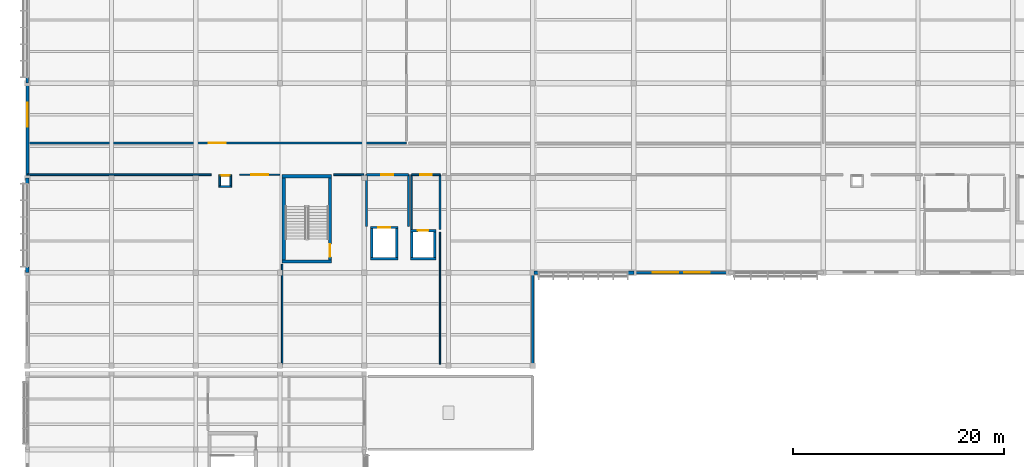
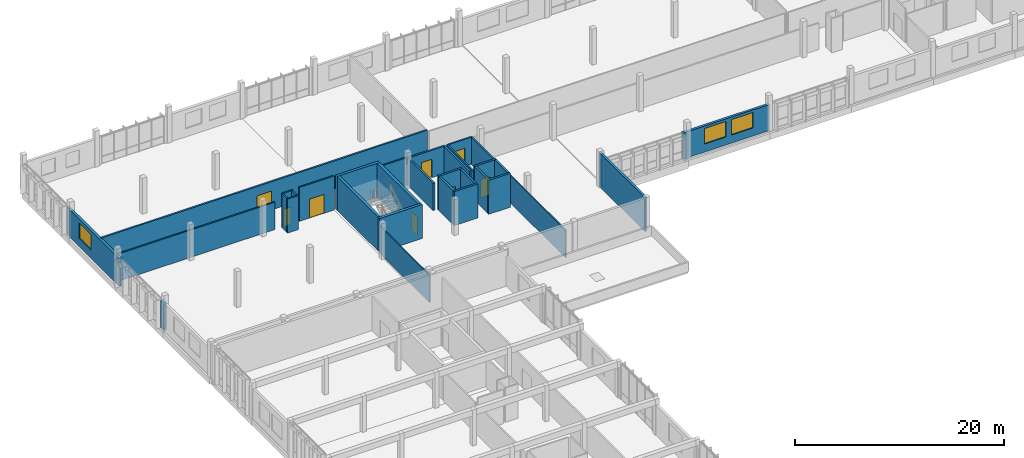
# One storey, part 93 of 107: 36 walls, 8 doors, 3 windows, 11 openings.
"""IFC4 building model written with IfcOpenShell, lengths in metres."""

from ifc_helpers import new_model, si_unit, direction, frame, frame_2d, origin, place, context, subcontext, project, spatial, rectangle, extrude, material, layer, layer_set, type_object, element, fill, save


model = new_model("IFC4")

# Units and contexts
model_context = context("Model", 3, precision=1e-05, world=origin(), true_north=direction((0.0, 1.0)))
body_context = subcontext(model_context, "Body", "Model", "MODEL_VIEW")
ifc_project = project(units=[si_unit("LENGTHUNIT", "METRE"), si_unit("AREAUNIT", "SQUARE_METRE"), si_unit("VOLUMEUNIT", "CUBIC_METRE"), si_unit("PLANEANGLEUNIT", "RADIAN"), si_unit("MASSUNIT", "GRAM", prefix="KILO")], contexts=[model_context])

# Site, building, storey
site_placement = place(None, origin())
site = spatial("IfcSite", under=ifc_project, at=site_placement, CompositionType="ELEMENT")
building_placement = place(site_placement, origin())
building = spatial("IfcBuilding", under=site, at=building_placement, Name="Chiffa Square Polytechnic", CompositionType="ELEMENT")
storey_placement = place(building_placement, frame((0.0, 0.0, 13.800048828125)))
storey = spatial("IfcBuildingStorey", under=building, at=storey_placement, Name="L03", CompositionType="ELEMENT", Elevation=13.800048828125)

# Walls
ifc_material_1 = material(Name="Concrete C40/50", Category="concrete")
ifc_layer_1 = layer(ifc_material_1, 0.300048828125, Name="Concrete C40/50")
ifc_layer_set_1 = layer_set([ifc_layer_1], Name="Concrete C40/50")
wall_type_1 = type_object("IfcWallType", Name="WL-CORE-300", PredefinedType="SHEAR", material=ifc_layer_set_1)
for number, where, z_axis, x_axis, name in (
    (1, (24.199951171875, 104.85009765625, 0.0), (0.0, 0.0, 1.0), (1.0, 0.0, 0.0), "Core or enclosure wall WC-CORE-V5A-L03-SOUTH"),
    (2, (24.199951171875, 112.949951171875, 0.0), (0.0, 0.0, 1.0), (1.0, 0.0, 0.0), "Core or enclosure wall WC-CORE-V5A-L03-NORTH"),
):
    element("IfcWall", number, at=place(storey_placement, frame(where, z_axis=z_axis, x_axis=x_axis)), inside=storey, type_object=wall_type_1, Name=name, PredefinedType="SHEAR", context=body_context, shape_type="SweptSolid", body=[
        extrude(rectangle(XDim=4.699951171875, YDim=0.300048828125, at=frame_2d((2.35009765625, 0.0))), origin(), (0.0, 0.0, 1.0), 3.9599609375),
    ])
wall_1_placement = place(storey_placement, frame((24.35009765625, 105.0, 0.0), z_axis=(0.0, 0.0, 1.0), x_axis=(0.0, 1.0, 0.0)))
element("IfcWall", 3, at=wall_1_placement, inside=storey, type_object=wall_type_1, Name="Core or enclosure wall WC-CORE-V5A-L03-WEST", PredefinedType="SHEAR", context=body_context, shape_type="SweptSolid", body=[
    extrude(rectangle(XDim=7.800048828125, YDim=0.300048828125, at=frame_2d((3.89990234375, 0.0))), origin(), (0.0, 0.0, 1.0), 3.9599609375),
])

# Wall, opening, door
wall_2_placement = place(storey_placement, frame((28.75, 105.0, 0.0), z_axis=(0.0, 0.0, 1.0), x_axis=(0.0, 1.0, 0.0)))
wall_2 = element("IfcWall", 4, at=wall_2_placement, inside=storey, type_object=wall_type_1, Name="Core or enclosure wall WC-CORE-V5A-L03-EAST", PredefinedType="SHEAR", context=body_context, shape_type="SweptSolid", body=[
    extrude(rectangle(XDim=7.800048828125, YDim=0.300048828125, at=frame_2d((3.89990234375, 0.0))), origin(), (0.0, 0.0, 1.0), 3.9599609375),
])
opening_1_placement = place(wall_2_placement, frame((0.300048828125, 0.0, 0.0)))
opening_1 = element("IfcOpeningElement", 5, at=opening_1_placement, cuts=wall_2, Name="Opening DS-L03-035", PredefinedType="OPENING", context=body_context, shape_type="SweptSolid", body=[
    extrude(rectangle(XDim=1.199951171875, YDim=2.14990234375, at=frame_2d((0.60009765625, 1.074951171875))), frame((0.0, 0.16015625, 0.0), z_axis=(0.0, -1.0, 0.0), x_axis=(1.0, 0.0, 0.0)), (0.0, 0.0, 1.0), 0.320068359375),
])
ifc_material_2 = material(Name="Fire-rated painted steel leaf", Category="steel")
door_type_1 = type_object("IfcDoorType", Name="DR-STAIR-1200", OperationType="NOTDEFINED", PredefinedType="DOOR", material=ifc_material_2)
door_1_placement = place(opening_1_placement, origin())
door_1 = element("IfcDoor", 6, at=door_1_placement, inside=storey, type_object=door_type_1, Name="Enclosure door DS-L03-035", OperationType="SINGLE_SWING_LEFT", OverallHeight=2.14990234375, OverallWidth=1.199951171875, PredefinedType="DOOR", context=body_context, shape_type="SweptSolid", body=[
    extrude(rectangle(XDim=1.199951171875, YDim=2.14990234375, at=frame_2d((0.60009765625, 1.074951171875))), frame((0.0, 0.02490234375, 0.0), z_axis=(0.0, -1.0, 0.0), x_axis=(1.0, 0.0, 0.0)), (0.0, 0.0, 1.0), 0.050048828125),
])
fill(opening_1, door_1)

# Wall, openings, windows
ifc_material_3 = material(Name="Precast concrete C40/50", Category="concrete")
ifc_layer_2 = layer(ifc_material_3, 0.260009765625, Name="Precast concrete C40/50")
ifc_layer_set_2 = layer_set([ifc_layer_2], Name="Precast concrete C40/50")
wall_type_2 = type_object("IfcWallType", Name="WL-EXT-PC260", PredefinedType="SOLIDWALL", material=ifc_layer_set_2)
wall_3_placement = place(storey_placement, frame((57.60009765625, 103.800048828125, 0.0), z_axis=(0.0, 0.0, 1.0), x_axis=(1.0, 0.0, 0.0)))
wall_3 = element("IfcWall", 7, at=wall_3_placement, inside=storey, type_object=wall_type_2, Name="Exterior wall WE-V5-L03-0331", PredefinedType="SOLIDWALL", context=body_context, shape_type="SweptSolid", body=[
    extrude(rectangle(XDim=9.0, YDim=0.260009765625, at=frame_2d((4.5, 0.0))), origin(), (0.0, 0.0, 1.0), 3.044921875),
])
opening_2_placement = place(wall_3_placement, frame((1.800048828125, 0.0, 0.949951171875)))
opening_2 = element("IfcOpeningElement", 8, at=opening_2_placement, cuts=wall_3, Name="Opening W-01", PredefinedType="OPENING", context=body_context, shape_type="SweptSolid", body=[
    extrude(rectangle(XDim=2.39990234375, YDim=1.800048828125, at=frame_2d((1.199951171875, 0.89990234375))), frame((0.0, 0.14013671875, 0.0), z_axis=(0.0, -1.0, 0.0), x_axis=(1.0, 0.0, 0.0)), (0.0, 0.0, 1.0), 0.280029296875),
])
opening_3_placement = place(wall_3_placement, frame((4.800048828125, 0.0, 0.949951171875)))
opening_3 = element("IfcOpeningElement", 9, at=opening_3_placement, cuts=wall_3, Name="Opening W-01", PredefinedType="OPENING", context=body_context, shape_type="SweptSolid", body=[
    extrude(rectangle(XDim=2.39990234375, YDim=1.800048828125, at=frame_2d((1.199951171875, 0.89990234375))), frame((0.0, 0.14013671875, 0.0), z_axis=(0.0, -1.0, 0.0), x_axis=(1.0, 0.0, 0.0)), (0.0, 0.0, 1.0), 0.280029296875),
])
ifc_material_4 = material(Name="Double glazing in thermally broken aluminium frame", Category="aluminium")
window_type_1 = type_object("IfcWindowType", Name="WIN-LAB-2400X1800", PartitioningType="DOUBLE_PANEL_VERTICAL", PredefinedType="WINDOW", material=ifc_material_4)
window_1_placement = place(opening_2_placement, origin())
window_1 = element("IfcWindow", 10, at=window_1_placement, inside=storey, type_object=window_type_1, Name="Facade window WN-L03-0224", OverallHeight=1.800048828125, OverallWidth=2.39990234375, PartitioningType="DOUBLE_PANEL_VERTICAL", PredefinedType="WINDOW", context=body_context, shape_type="SweptSolid", body=[
    extrude(rectangle(XDim=2.39990234375, YDim=1.800048828125, at=frame_2d((1.199951171875, 0.89990234375))), frame((0.0, 0.030029296875, 0.0), z_axis=(0.0, -1.0, 0.0), x_axis=(1.0, 0.0, 0.0)), (0.0, 0.0, 1.0), 0.06005859375),
])
fill(opening_2, window_1)
window_2_placement = place(opening_3_placement, origin())
window_2 = element("IfcWindow", 11, at=window_2_placement, inside=storey, type_object=window_type_1, Name="Facade window WN-L03-0225", OverallHeight=1.800048828125, OverallWidth=2.39990234375, PartitioningType="DOUBLE_PANEL_VERTICAL", PredefinedType="WINDOW", context=body_context, shape_type="SweptSolid", body=[
    extrude(rectangle(XDim=2.39990234375, YDim=1.800048828125, at=frame_2d((1.199951171875, 0.89990234375))), frame((0.0, 0.030029296875, 0.0), z_axis=(0.0, -1.0, 0.0), x_axis=(1.0, 0.0, 0.0)), (0.0, 0.0, 1.0), 0.06005859375),
])
fill(opening_3, window_2)

# Wall
wall_4_placement = place(storey_placement, frame((0.0, 122.340087890625, 0.0), z_axis=(0.0, 0.0, 1.0), x_axis=(0.0, -1.0, 0.0)))
element("IfcWall", 12, at=wall_4_placement, inside=storey, type_object=wall_type_2, Name="Facade column pier V5-L03-0359R", PredefinedType="SOLIDWALL", context=body_context, shape_type="SweptSolid", body=[
    extrude(rectangle(XDim=0.5400390625, YDim=0.260009765625, at=frame_2d((0.27001953125, 0.0))), origin(), (0.0, 0.0, 1.0), 3.195068359375),
])

# Wall, opening, window
ifc_layer_3 = layer(ifc_material_3, 0.280029296875, Name="Precast concrete C40/50")
ifc_layer_set_3 = layer_set([ifc_layer_3], Name="Precast concrete C40/50")
wall_type_3 = type_object("IfcWallType", Name="WL-EXT-PC280", PredefinedType="SOLIDWALL", material=ifc_layer_set_3)
wall_5_placement = place(storey_placement, frame((0.0, 121.800048828125, 0.0), z_axis=(0.0, 0.0, 1.0), x_axis=(0.0, -1.0, 0.0)))
wall_5 = element("IfcWall", 13, at=wall_5_placement, inside=storey, type_object=wall_type_3, Name="Exterior wall WE-V5-L03-0360", PredefinedType="SOLIDWALL", context=body_context, shape_type="SweptSolid", body=[
    extrude(rectangle(XDim=9.0, YDim=0.280029296875, at=frame_2d((4.5, 0.0))), origin(), (0.0, 0.0, 1.0), 3.195068359375),
])
opening_4_placement = place(wall_5_placement, frame((1.875, 0.0, 0.949951171875)))
opening_4 = element("IfcOpeningElement", 14, at=opening_4_placement, cuts=wall_5, Name="Opening W-02", PredefinedType="OPENING", context=body_context, shape_type="SweptSolid", body=[
    extrude(rectangle(XDim=2.25, YDim=1.800048828125, at=frame_2d((1.125, 0.89990234375))), frame((0.0, 0.14990234375, 0.0), z_axis=(0.0, -1.0, 0.0), x_axis=(1.0, 0.0, 0.0)), (0.0, 0.0, 1.0), 0.300048828125),
])
window_type_2 = type_object("IfcWindowType", Name="WIN-LAB-2250X1800", PartitioningType="DOUBLE_PANEL_VERTICAL", PredefinedType="WINDOW", material=ifc_material_4)
window_3_placement = place(opening_4_placement, origin())
window_3 = element("IfcWindow", 15, at=window_3_placement, inside=storey, type_object=window_type_2, Name="Facade window WN-L03-0253", OverallHeight=1.800048828125, OverallWidth=2.25, PartitioningType="DOUBLE_PANEL_VERTICAL", PredefinedType="WINDOW", context=body_context, shape_type="SweptSolid", body=[
    extrude(rectangle(XDim=2.25, YDim=1.800048828125, at=frame_2d((1.125, 0.89990234375))), frame((0.0, 0.030029296875, 0.0), z_axis=(0.0, -1.0, 0.0), x_axis=(1.0, 0.0, 0.0)), (0.0, 0.0, 1.0), 0.06005859375),
])
fill(opening_4, window_3)

# Walls
ifc_layer_4 = layer(ifc_material_3, 0.320068359375, Name="Precast concrete C40/50")
ifc_layer_set_4 = layer_set([ifc_layer_4], Name="Precast concrete C40/50")
wall_type_4 = type_object("IfcWallType", Name="WL-EXT-PC320", PredefinedType="SOLIDWALL", material=ifc_layer_set_4)
wall_6_placement = place(storey_placement, frame((48.126953125, 103.800048828125, 0.0), z_axis=(0.0, 0.0, 1.0), x_axis=(1.0, 0.0, 0.0)))
element("IfcWall", 16, at=wall_6_placement, inside=storey, type_object=wall_type_4, Name="Facade column pier V5-L03-0330L", PredefinedType="SOLIDWALL", context=body_context, shape_type="SweptSolid", body=[
    extrude(rectangle(XDim=0.4130859375, YDim=0.320068359375, at=frame_2d((0.20654296875, 0.0))), origin(), (0.0, 0.0, 1.0), 3.044921875),
])
wall_7_placement = place(storey_placement, frame((57.06005859375, 103.800048828125, 0.0), z_axis=(0.0, 0.0, 1.0), x_axis=(1.0, 0.0, 0.0)))
element("IfcWall", 17, at=wall_7_placement, inside=storey, type_object=wall_type_4, Name="Facade column pier V5-L03-0330R", PredefinedType="SOLIDWALL", context=body_context, shape_type="SweptSolid", body=[
    extrude(rectangle(XDim=0.5400390625, YDim=0.320068359375, at=frame_2d((0.27001953125, 0.0))), origin(), (0.0, 0.0, 1.0), 3.044921875),
])
for number, where, z_axis, x_axis, name in (
    (18, (0.0, 112.800048828125, 0.0), (0.0, 0.0, 1.0), (0.0, -1.0, 0.0), "Facade column pier V5-L03-0361L"),
    (19, (0.0, 104.340087890625, 0.0), (0.0, 0.0, 1.0), (0.0, -1.0, 0.0), "Facade column pier V5-L03-0361R"),
):
    element("IfcWall", number, at=place(storey_placement, frame(where, z_axis=z_axis, x_axis=x_axis)), inside=storey, type_object=wall_type_4, Name=name, PredefinedType="SOLIDWALL", context=body_context, shape_type="SweptSolid", body=[
        extrude(rectangle(XDim=0.5400390625, YDim=0.320068359375, at=frame_2d((0.27001953125, 0.0))), origin(), (0.0, 0.0, 1.0), 3.195068359375),
    ])
ifc_material_5 = material(Name="Gypsum board on steel stud", Category="steel")
ifc_layer_5 = layer(ifc_material_5, 0.125, Name="Gypsum board on steel stud")
ifc_layer_set_5 = layer_set([ifc_layer_5], Name="Gypsum board on steel stud")
wall_type_5 = type_object("IfcWallType", Name="WL-PART-125", PredefinedType="PARTITIONING", material=ifc_layer_set_5)
wall_8_placement = place(storey_placement, frame((24.199951171875, 95.10498046875, 0.0), z_axis=(0.0, 0.0, 1.0), x_axis=(0.0, 1.0, 0.0)))
element("IfcWall", 20, at=wall_8_placement, inside=storey, type_object=wall_type_5, Name="Interior partition WP-V5-L03-0572", PredefinedType="PARTITIONING", context=body_context, shape_type="SweptSolid", body=[
    extrude(rectangle(XDim=9.505126953125, YDim=0.125, at=frame_2d((4.75244140625, 0.0))), origin(), (0.0, 0.0, 1.0), 3.195068359375),
])
wall_9_placement = place(storey_placement, frame((39.199951171875, 95.10498046875, 0.0), z_axis=(0.0, 0.0, 1.0), x_axis=(0.0, 1.0, 0.0)))
element("IfcWall", 21, at=wall_9_placement, inside=storey, type_object=wall_type_5, Name="Interior partition WP-V5-L03-0581", PredefinedType="PARTITIONING", context=body_context, shape_type="SweptSolid", body=[
    extrude(rectangle(XDim=12.554931640625, YDim=0.125, at=frame_2d((6.27734375, 0.0))), origin(), (0.0, 0.0, 1.0), 3.195068359375),
])

# Wall, opening, door
ifc_material_6 = material(Name="Autoclaved aerated concrete blockwork", Category="masonry")
ifc_layer_6 = layer(ifc_material_6, 0.199951171875, Name="Autoclaved aerated concrete blockwork")
ifc_layer_set_6 = layer_set([ifc_layer_6], Name="Autoclaved aerated concrete blockwork")
wall_type_6 = type_object("IfcWallType", Name="WL-PART-EI120-200", PredefinedType="PARTITIONING", material=ifc_layer_set_6)
wall_10_placement = place(storey_placement, frame((32.199951171875, 113.10009765625, 0.0), z_axis=(0.0, 0.0, 1.0), x_axis=(1.0, 0.0, 0.0)))
wall_10 = element("IfcWall", 22, at=wall_10_placement, inside=storey, type_object=wall_type_6, Name="Lift lobby rated enclosure WP-LOB-LF-V5-L03-NORTH", PredefinedType="PARTITIONING", context=body_context, shape_type="SweptSolid", body=[
    extrude(rectangle(XDim=4.0, YDim=0.199951171875, at=frame_2d((2.0, 0.0))), origin(), (0.0, 0.0, 1.0), 3.195068359375),
])
opening_5_placement = place(wall_10_placement, frame((1.425048828125, 0.0, 0.0)))
opening_5 = element("IfcOpeningElement", 23, at=opening_5_placement, cuts=wall_10, Name="Opening DI-L03-036", PredefinedType="OPENING", context=body_context, shape_type="SweptSolid", body=[
    extrude(rectangle(XDim=1.14990234375, YDim=2.14990234375, at=frame_2d((0.574951171875, 1.074951171875))), frame((0.0, 0.10986328125, 0.0), z_axis=(0.0, -1.0, 0.0), x_axis=(1.0, 0.0, 0.0)), (0.0, 0.0, 1.0), 0.219970703125),
])
ifc_material_7 = material(Name="Fire-rated steel door leaf", Category="steel")
door_type_2 = type_object("IfcDoorType", Name="DR-LOBBY-FD120", OperationType="NOTDEFINED", PredefinedType="DOOR", material=ifc_material_7)
door_2_placement = place(opening_5_placement, origin())
door_2 = element("IfcDoor", 24, at=door_2_placement, inside=storey, type_object=door_type_2, Name="Lift lobby fire door DI-L03-036", OperationType="SINGLE_SWING_LEFT", OverallHeight=2.14990234375, OverallWidth=1.14990234375, PredefinedType="DOOR", context=body_context, shape_type="SweptSolid", body=[
    extrude(rectangle(XDim=1.14990234375, YDim=2.14990234375, at=frame_2d((0.574951171875, 1.074951171875))), frame((0.0, 0.02490234375, 0.0), z_axis=(0.0, -1.0, 0.0), x_axis=(1.0, 0.0, 0.0)), (0.0, 0.0, 1.0), 0.050048828125),
])
fill(opening_5, door_2)

# Walls
for number, where, z_axis, x_axis, name in (
    (25, (32.199951171875, 108.199951171875, 0.0), (0.0, 0.0, 1.0), (0.0, 1.0, 0.0), "Lift lobby rated enclosure WP-LOB-LF-V5-L03-WEST"),
    (26, (36.199951171875, 108.199951171875, 0.0), (0.0, 0.0, 1.0), (0.0, 1.0, 0.0), "Lift lobby rated enclosure WP-LOB-LF-V5-L03-EAST"),
):
    element("IfcWall", number, at=place(storey_placement, frame(where, z_axis=z_axis, x_axis=x_axis)), inside=storey, type_object=wall_type_6, Name=name, PredefinedType="PARTITIONING", context=body_context, shape_type="SweptSolid", body=[
        extrude(rectangle(XDim=4.900146484375, YDim=0.199951171875, at=frame_2d((2.4501953125, 0.0))), origin(), (0.0, 0.0, 1.0), 3.195068359375),
    ])
ifc_material_8 = material(Name="Gypsum board on acoustic steel stud", Category="steel")
ifc_layer_7 = layer(ifc_material_8, 0.159912109375, Name="Gypsum board on acoustic steel stud")
ifc_layer_set_7 = layer_set([ifc_layer_7], Name="Gypsum board on acoustic steel stud")
wall_type_7 = type_object("IfcWallType", Name="WL-PART-EI60-160", PredefinedType="PARTITIONING", material=ifc_layer_set_7)
wall_11_placement = place(storey_placement, frame((18.199951171875, 111.97998046875, 0.0), z_axis=(0.0, 0.0, 1.0), x_axis=(1.0, 0.0, 0.0)))
element("IfcWall", 27, at=wall_11_placement, inside=storey, type_object=wall_type_7, Name="Core or enclosure wall WP-RSR-V5-W-L03-SOUTH", PredefinedType="PARTITIONING", context=body_context, shape_type="SweptSolid", body=[
    extrude(rectangle(XDim=1.199951171875, YDim=0.159912109375, at=frame_2d((0.60009765625, 0.0))), origin(), (0.0, 0.0, 1.0), 3.9599609375),
])

# Wall, opening, door
wall_12_placement = place(storey_placement, frame((18.199951171875, 113.02001953125, 0.0), z_axis=(0.0, 0.0, 1.0), x_axis=(1.0, 0.0, 0.0)))
wall_12 = element("IfcWall", 28, at=wall_12_placement, inside=storey, type_object=wall_type_7, Name="Core or enclosure wall WP-RSR-V5-W-L03-NORTH", PredefinedType="PARTITIONING", context=body_context, shape_type="SweptSolid", body=[
    extrude(rectangle(XDim=1.199951171875, YDim=0.159912109375, at=frame_2d((0.60009765625, 0.0))), origin(), (0.0, 0.0, 1.0), 3.9599609375),
])
opening_6_placement = place(wall_12_placement, frame((0.175048828125, 0.0, 0.0)))
opening_6 = element("IfcOpeningElement", 29, at=opening_6_placement, cuts=wall_12, Name="Opening DI-L03-R05", PredefinedType="OPENING", context=body_context, shape_type="SweptSolid", body=[
    extrude(rectangle(XDim=0.85009765625, YDim=2.02001953125, at=frame_2d((0.425048828125, 1.010009765625))), frame((0.0, 0.08984375, 0.0), z_axis=(0.0, -1.0, 0.0), x_axis=(1.0, 0.0, 0.0)), (0.0, 0.0, 1.0), 0.179931640625),
])
ifc_material_9 = material(Name="Fire-rated steel riser access door", Category="steel")
door_type_3 = type_object("IfcDoorType", Name="DR-RISER-850", OperationType="NOTDEFINED", PredefinedType="DOOR", material=ifc_material_9)
door_3_placement = place(opening_6_placement, origin())
door_3 = element("IfcDoor", 30, at=door_3_placement, inside=storey, type_object=door_type_3, Name="Enclosure door DI-L03-R05", OperationType="SINGLE_SWING_LEFT", OverallHeight=2.02001953125, OverallWidth=0.85009765625, PredefinedType="DOOR", context=body_context, shape_type="SweptSolid", body=[
    extrude(rectangle(XDim=0.85009765625, YDim=2.02001953125, at=frame_2d((0.425048828125, 1.010009765625))), frame((0.0, 0.02490234375, 0.0), z_axis=(0.0, -1.0, 0.0), x_axis=(1.0, 0.0, 0.0)), (0.0, 0.0, 1.0), 0.050048828125),
])
fill(opening_6, door_3)

# Walls
for number, where, z_axis, x_axis, name in (
    (31, (18.280029296875, 112.06005859375, 0.0), (0.0, 0.0, 1.0), (0.0, 1.0, 0.0), "Core or enclosure wall WP-RSR-V5-W-L03-WEST"),
    (32, (19.320068359375, 112.06005859375, 0.0), (0.0, 0.0, 1.0), (0.0, 1.0, 0.0), "Core or enclosure wall WP-RSR-V5-W-L03-EAST"),
):
    element("IfcWall", number, at=place(storey_placement, frame(where, z_axis=z_axis, x_axis=x_axis)), inside=storey, type_object=wall_type_7, Name=name, PredefinedType="PARTITIONING", context=body_context, shape_type="SweptSolid", body=[
        extrude(rectangle(XDim=0.8798828125, YDim=0.159912109375, at=frame_2d((0.43994140625, 0.0))), origin(), (0.0, 0.0, 1.0), 3.9599609375),
    ])

# Wall, opening, door
wall_13_placement = place(storey_placement, frame((36.5, 113.10009765625, 0.0), z_axis=(0.0, 0.0, 1.0), x_axis=(1.0, 0.0, 0.0)))
wall_13 = element("IfcWall", 33, at=wall_13_placement, inside=storey, type_object=wall_type_7, Name="Lift lobby rated enclosure WP-LOB-LP-V5A-L03-NORTH", PredefinedType="PARTITIONING", context=body_context, shape_type="SweptSolid", body=[
    extrude(rectangle(XDim=2.699951171875, YDim=0.159912109375, at=frame_2d((1.35009765625, 0.0))), origin(), (0.0, 0.0, 1.0), 3.195068359375),
])
opening_7_placement = place(wall_13_placement, frame((0.800048828125, 0.0, 0.0)))
opening_7 = element("IfcOpeningElement", 34, at=opening_7_placement, cuts=wall_13, Name="Opening DI-L03-042", PredefinedType="OPENING", context=body_context, shape_type="SweptSolid", body=[
    extrude(rectangle(XDim=1.10009765625, YDim=2.14990234375, at=frame_2d((0.550048828125, 1.074951171875))), frame((0.0, 0.08984375, 0.0), z_axis=(0.0, -1.0, 0.0), x_axis=(1.0, 0.0, 0.0)), (0.0, 0.0, 1.0), 0.179931640625),
])
ifc_material_10 = material(Name="Solid core ash veneer door")
door_type_4 = type_object("IfcDoorType", Name="DR-INT-1100", OperationType="NOTDEFINED", PredefinedType="DOOR", material=ifc_material_10)
door_4_placement = place(opening_7_placement, origin())
door_4 = element("IfcDoor", 35, at=door_4_placement, inside=storey, type_object=door_type_4, Name="Lift lobby fire door DI-L03-042", OperationType="SINGLE_SWING_LEFT", OverallHeight=2.14990234375, OverallWidth=1.10009765625, PredefinedType="DOOR", context=body_context, shape_type="SweptSolid", body=[
    extrude(rectangle(XDim=1.10009765625, YDim=2.14990234375, at=frame_2d((0.550048828125, 1.074951171875))), frame((0.0, 0.02490234375, 0.0), z_axis=(0.0, -1.0, 0.0), x_axis=(1.0, 0.0, 0.0)), (0.0, 0.0, 1.0), 0.050048828125),
])
fill(opening_7, door_4)

# Walls
for number, where, z_axis, x_axis, name in (
    (36, (36.5, 107.89990234375, 0.0), (0.0, 0.0, 1.0), (0.0, 1.0, 0.0), "Lift lobby rated enclosure WP-LOB-LP-V5A-L03-WEST"),
    (37, (39.199951171875, 107.89990234375, 0.0), (0.0, 0.0, 1.0), (0.0, 1.0, 0.0), "Lift lobby rated enclosure WP-LOB-LP-V5A-L03-EAST"),
):
    element("IfcWall", number, at=place(storey_placement, frame(where, z_axis=z_axis, x_axis=x_axis)), inside=storey, type_object=wall_type_7, Name=name, PredefinedType="PARTITIONING", context=body_context, shape_type="SweptSolid", body=[
        extrude(rectangle(XDim=5.2001953125, YDim=0.159912109375, at=frame_2d((2.60009765625, 0.0))), origin(), (0.0, 0.0, 1.0), 3.195068359375),
    ])

# Wall, opening, door
wall_14_placement = place(storey_placement, frame((20.14599609375, 113.10009765625, 0.0), z_axis=(0.0, 0.0, 1.0), x_axis=(1.0, 0.0, 0.0)))
wall_14 = element("IfcWall", 38, at=wall_14_placement, inside=storey, type_object=wall_type_7, Name="Interior partition WP-V5-L03-0570", PredefinedType="PARTITIONING", context=body_context, shape_type="SweptSolid", body=[
    extrude(rectangle(XDim=3.866943359375, YDim=0.159912109375, at=frame_2d((1.93359375, 0.0))), origin(), (0.0, 0.0, 1.0), 3.9599609375),
])
opening_8_placement = place(wall_14_placement, frame((1.134033203125, 0.0, 0.0)))
opening_8 = element("IfcOpeningElement", 39, at=opening_8_placement, cuts=wall_14, Name="Opening DI-L03-209", PredefinedType="OPENING", context=body_context, shape_type="SweptSolid", body=[
    extrude(rectangle(XDim=1.60009765625, YDim=2.199951171875, at=frame_2d((0.800048828125, 1.10009765625))), frame((0.0, 0.08984375, 0.0), z_axis=(0.0, -1.0, 0.0), x_axis=(1.0, 0.0, 0.0)), (0.0, 0.0, 1.0), 0.179931640625),
])
ifc_material_11 = material(Name="Vision-panel timber laboratory door", Category="wood")
door_type_5 = type_object("IfcDoorType", Name="DR-LAB-DBL-1600", OperationType="DOUBLE_DOOR_SINGLE_SWING", PredefinedType="DOOR", material=ifc_material_11)
door_5_placement = place(opening_8_placement, origin())
door_5 = element("IfcDoor", 40, at=door_5_placement, inside=storey, type_object=door_type_5, Name="Interior room door DI-L03-209", OperationType="DOUBLE_DOOR_SINGLE_SWING", OverallHeight=2.199951171875, OverallWidth=1.60009765625, PredefinedType="DOOR", context=body_context, shape_type="SweptSolid", body=[
    extrude(rectangle(XDim=1.60009765625, YDim=2.199951171875, at=frame_2d((0.800048828125, 1.10009765625))), frame((0.0, 0.02490234375, 0.0), z_axis=(0.0, -1.0, 0.0), x_axis=(1.0, 0.0, 0.0)), (0.0, 0.0, 1.0), 0.050048828125),
])
fill(opening_8, door_5)

# Walls
wall_15_placement = place(storey_placement, frame((0.054931640625, 113.10009765625, 0.0), z_axis=(0.0, 0.0, 1.0), x_axis=(1.0, 0.0, 0.0)))
element("IfcWall", 41, at=wall_15_placement, inside=storey, type_object=wall_type_7, Name="Interior partition WP-V5-L03-0571", PredefinedType="PARTITIONING", context=body_context, shape_type="SweptSolid", body=[
    extrude(rectangle(XDim=17.399169921875, YDim=0.159912109375, at=frame_2d((8.69970703125, 0.0))), origin(), (0.0, 0.0, 1.0), 3.195068359375),
])
wall_16_placement = place(storey_placement, frame((29.0869140625, 113.10009765625, 0.0), z_axis=(0.0, 0.0, 1.0), x_axis=(1.0, 0.0, 0.0)))
element("IfcWall", 42, at=wall_16_placement, inside=storey, type_object=wall_type_7, Name="Interior partition WP-V5-L03-0595", PredefinedType="PARTITIONING", context=body_context, shape_type="SweptSolid", body=[
    extrude(rectangle(XDim=2.873046875, YDim=0.159912109375, at=frame_2d((1.4365234375, 0.0))), origin(), (0.0, 0.0, 1.0), 3.294921875),
])

# Wall, opening, door
ifc_material_12 = material(Name="Gypsum board on twin steel stud", Category="steel")
ifc_layer_8 = layer(ifc_material_12, 0.18505859375, Name="Gypsum board on twin steel stud")
ifc_layer_set_8 = layer_set([ifc_layer_8], Name="Gypsum board on twin steel stud")
wall_type_8 = type_object("IfcWallType", Name="WL-PART-EI90-185", PredefinedType="PARTITIONING", material=ifc_layer_set_8)
wall_17_placement = place(storey_placement, frame((0.054931640625, 116.10009765625, 0.0), z_axis=(0.0, 0.0, 1.0), x_axis=(1.0, 0.0, 0.0)))
wall_17 = element("IfcWall", 43, at=wall_17_placement, inside=storey, type_object=wall_type_8, Name="Interior partition WP-V5-L03-0582", PredefinedType="PARTITIONING", context=body_context, shape_type="SweptSolid", body=[
    extrude(rectangle(XDim=35.945068359375, YDim=0.18505859375, at=frame_2d((17.97265625, 0.0))), origin(), (0.0, 0.0, 1.0), 3.294921875),
])
opening_9_placement = place(wall_17_placement, frame((17.172119140625, 0.0, 0.0)))
opening_9 = element("IfcOpeningElement", 44, at=opening_9_placement, cuts=wall_17, Name="Opening DI-L03-210", PredefinedType="OPENING", context=body_context, shape_type="SweptSolid", body=[
    extrude(rectangle(XDim=1.60009765625, YDim=2.199951171875, at=frame_2d((0.800048828125, 1.10009765625))), frame((0.0, 0.1025390625, 0.0), z_axis=(0.0, -1.0, 0.0), x_axis=(1.0, 0.0, 0.0)), (0.0, 0.0, 1.0), 0.205078125),
])
door_6_placement = place(opening_9_placement, origin())
door_6 = element("IfcDoor", 45, at=door_6_placement, inside=storey, type_object=door_type_5, Name="Interior room door DI-L03-210", OperationType="DOUBLE_DOOR_SINGLE_SWING", OverallHeight=2.199951171875, OverallWidth=1.60009765625, PredefinedType="DOOR", context=body_context, shape_type="SweptSolid", body=[
    extrude(rectangle(XDim=1.60009765625, YDim=2.199951171875, at=frame_2d((0.800048828125, 1.10009765625))), frame((0.0, 0.02490234375, 0.0), z_axis=(0.0, -1.0, 0.0), x_axis=(1.0, 0.0, 0.0)), (0.0, 0.0, 1.0), 0.050048828125),
])
fill(opening_9, door_6)

# Wall
ifc_material_13 = material(Name="Concrete C35/45", Category="concrete")
ifc_layer_9 = layer(ifc_material_13, 0.219970703125, Name="Concrete C35/45")
ifc_layer_set_9 = layer_set([ifc_layer_9], Name="Concrete C35/45")
wall_type_9 = type_object("IfcWallType", Name="WL-SHAFT-220", PredefinedType="SHEAR", material=ifc_layer_set_9)
wall_18_placement = place(storey_placement, frame((32.60009765625, 105.110107421875, 0.0), z_axis=(0.0, 0.0, 1.0), x_axis=(1.0, 0.0, 0.0)))
element("IfcWall", 46, at=wall_18_placement, inside=storey, type_object=wall_type_9, Name="Core or enclosure wall WS-LF-V5-L03-SOUTH", PredefinedType="SHEAR", context=body_context, shape_type="SweptSolid", body=[
    extrude(rectangle(XDim=2.599853515625, YDim=0.219970703125, at=frame_2d((1.2998046875, 0.0))), origin(), (0.0, 0.0, 1.0), 3.9599609375),
])

# Wall, opening, door
wall_19_placement = place(storey_placement, frame((32.60009765625, 108.090087890625, 0.0), z_axis=(0.0, 0.0, 1.0), x_axis=(1.0, 0.0, 0.0)))
wall_19 = element("IfcWall", 47, at=wall_19_placement, inside=storey, type_object=wall_type_9, Name="Core or enclosure wall WS-LF-V5-L03-NORTH", PredefinedType="SHEAR", context=body_context, shape_type="SweptSolid", body=[
    extrude(rectangle(XDim=2.599853515625, YDim=0.219970703125, at=frame_2d((1.2998046875, 0.0))), origin(), (0.0, 0.0, 1.0), 3.9599609375),
])
opening_10_placement = place(wall_19_placement, frame((0.75, 0.0, 0.0)))
opening_10 = element("IfcOpeningElement", 48, at=opening_10_placement, cuts=wall_19, Name="Opening LD-LF-V5-L03", PredefinedType="OPENING", context=body_context, shape_type="SweptSolid", body=[
    extrude(rectangle(XDim=1.10009765625, YDim=2.14990234375, at=frame_2d((0.550048828125, 1.074951171875))), frame((0.0, 0.1201171875, 0.0), z_axis=(0.0, -1.0, 0.0), x_axis=(1.0, 0.0, 0.0)), (0.0, 0.0, 1.0), 0.239990234375),
])
ifc_material_14 = material(Name="Brushed stainless steel sliding landing door", Category="steel")
door_type_6 = type_object("IfcDoorType", Name="DR-LIFT-1100", OperationType="SLIDING_TO_LEFT", PredefinedType="DOOR", material=ifc_material_14)
door_7_placement = place(opening_10_placement, origin())
door_7 = element("IfcDoor", 49, at=door_7_placement, inside=storey, type_object=door_type_6, Name="Enclosure door LD-LF-V5-L03", OperationType="SLIDING_TO_LEFT", OverallHeight=2.14990234375, OverallWidth=1.10009765625, PredefinedType="DOOR", context=body_context, shape_type="SweptSolid", body=[
    extrude(rectangle(XDim=1.10009765625, YDim=2.14990234375, at=frame_2d((0.550048828125, 1.074951171875))), frame((0.0, 0.02490234375, 0.0), z_axis=(0.0, -1.0, 0.0), x_axis=(1.0, 0.0, 0.0)), (0.0, 0.0, 1.0), 0.050048828125),
])
fill(opening_10, door_7)

# Walls
for number, where, z_axis, x_axis, name in (
    (50, (32.7099609375, 105.219970703125, 0.0), (0.0, 0.0, 1.0), (0.0, 1.0, 0.0), "Core or enclosure wall WS-LF-V5-L03-WEST"),
    (51, (35.090087890625, 105.219970703125, 0.0), (0.0, 0.0, 1.0), (0.0, 1.0, 0.0), "Core or enclosure wall WS-LF-V5-L03-EAST"),
):
    element("IfcWall", number, at=place(storey_placement, frame(where, z_axis=z_axis, x_axis=x_axis)), inside=storey, type_object=wall_type_9, Name=name, PredefinedType="SHEAR", context=body_context, shape_type="SweptSolid", body=[
        extrude(rectangle(XDim=2.760009765625, YDim=0.219970703125, at=frame_2d((1.3798828125, 0.0))), origin(), (0.0, 0.0, 1.0), 3.9599609375),
    ])
wall_20_placement = place(storey_placement, frame((36.39990234375, 105.110107421875, 0.0), z_axis=(0.0, 0.0, 1.0), x_axis=(1.0, 0.0, 0.0)))
element("IfcWall", 52, at=wall_20_placement, inside=storey, type_object=wall_type_9, Name="Core or enclosure wall WS-LP-V5A-L03-SOUTH", PredefinedType="SHEAR", context=body_context, shape_type="SweptSolid", body=[
    extrude(rectangle(XDim=2.400146484375, YDim=0.219970703125, at=frame_2d((1.2001953125, 0.0))), origin(), (0.0, 0.0, 1.0), 3.9599609375),
])

# Wall, opening, door
wall_21_placement = place(storey_placement, frame((36.39990234375, 107.7900390625, 0.0), z_axis=(0.0, 0.0, 1.0), x_axis=(1.0, 0.0, 0.0)))
wall_21 = element("IfcWall", 53, at=wall_21_placement, inside=storey, type_object=wall_type_9, Name="Core or enclosure wall WS-LP-V5A-L03-NORTH", PredefinedType="SHEAR", context=body_context, shape_type="SweptSolid", body=[
    extrude(rectangle(XDim=2.400146484375, YDim=0.219970703125, at=frame_2d((1.2001953125, 0.0))), origin(), (0.0, 0.0, 1.0), 3.9599609375),
])
opening_11_placement = place(wall_21_placement, frame((0.699951171875, 0.0, 0.0)))
opening_11 = element("IfcOpeningElement", 54, at=opening_11_placement, cuts=wall_21, Name="Opening LD-LP-V5A-L03", PredefinedType="OPENING", context=body_context, shape_type="SweptSolid", body=[
    extrude(rectangle(XDim=1.0, YDim=2.14990234375, at=frame_2d((0.5, 1.074951171875))), frame((0.0, 0.1201171875, 0.0), z_axis=(0.0, -1.0, 0.0), x_axis=(1.0, 0.0, 0.0)), (0.0, 0.0, 1.0), 0.239990234375),
])
door_type_7 = type_object("IfcDoorType", Name="DR-LIFT-1000", OperationType="SLIDING_TO_RIGHT", PredefinedType="DOOR", material=ifc_material_14)
door_8_placement = place(opening_11_placement, origin())
door_8 = element("IfcDoor", 55, at=door_8_placement, inside=storey, type_object=door_type_7, Name="Enclosure door LD-LP-V5A-L03", OperationType="SLIDING_TO_RIGHT", OverallHeight=2.14990234375, OverallWidth=1.0, PredefinedType="DOOR", context=body_context, shape_type="SweptSolid", body=[
    extrude(rectangle(XDim=1.0, YDim=2.14990234375, at=frame_2d((0.5, 1.074951171875))), frame((0.0, 0.02490234375, 0.0), z_axis=(0.0, -1.0, 0.0), x_axis=(1.0, 0.0, 0.0)), (0.0, 0.0, 1.0), 0.050048828125),
])
fill(opening_11, door_8)

# Walls
for number, where, z_axis, x_axis, name in (
    (56, (36.510009765625, 105.219970703125, 0.0), (0.0, 0.0, 1.0), (0.0, 1.0, 0.0), "Core or enclosure wall WS-LP-V5A-L03-WEST"),
    (57, (38.68994140625, 105.219970703125, 0.0), (0.0, 0.0, 1.0), (0.0, 1.0, 0.0), "Core or enclosure wall WS-LP-V5A-L03-EAST"),
):
    element("IfcWall", number, at=place(storey_placement, frame(where, z_axis=z_axis, x_axis=x_axis)), inside=storey, type_object=wall_type_9, Name=name, PredefinedType="SHEAR", context=body_context, shape_type="SweptSolid", body=[
        extrude(rectangle(XDim=2.4599609375, YDim=0.219970703125, at=frame_2d((1.22998046875, 0.0))), origin(), (0.0, 0.0, 1.0), 3.9599609375),
    ])
ifc_layer_10 = layer(ifc_material_13, 0.25, Name="Concrete C35/45")
ifc_layer_set_10 = layer_set([ifc_layer_10], Name="Concrete C35/45")
wall_type_10 = type_object("IfcWallType", Name="WL-SJ-250", PredefinedType="SHEAR", material=ifc_layer_set_10)
wall_22_placement = place(storey_placement, frame((48.0, 95.050048828125, 0.0), z_axis=(0.0, 0.0, 1.0), x_axis=(0.0, 1.0, 0.0)))
element("IfcWall", 58, at=wall_22_placement, inside=storey, type_object=wall_type_10, Name="Seismic-joint fire wall WE-V5-L03-0329", PredefinedType="SHEAR", context=body_context, shape_type="SweptSolid", body=[
    extrude(rectangle(XDim=8.75, YDim=0.25, at=frame_2d((4.375, 0.0))), origin(), (0.0, 0.0, 1.0), 3.9599609375),
])

save(model, "model.ifc")
